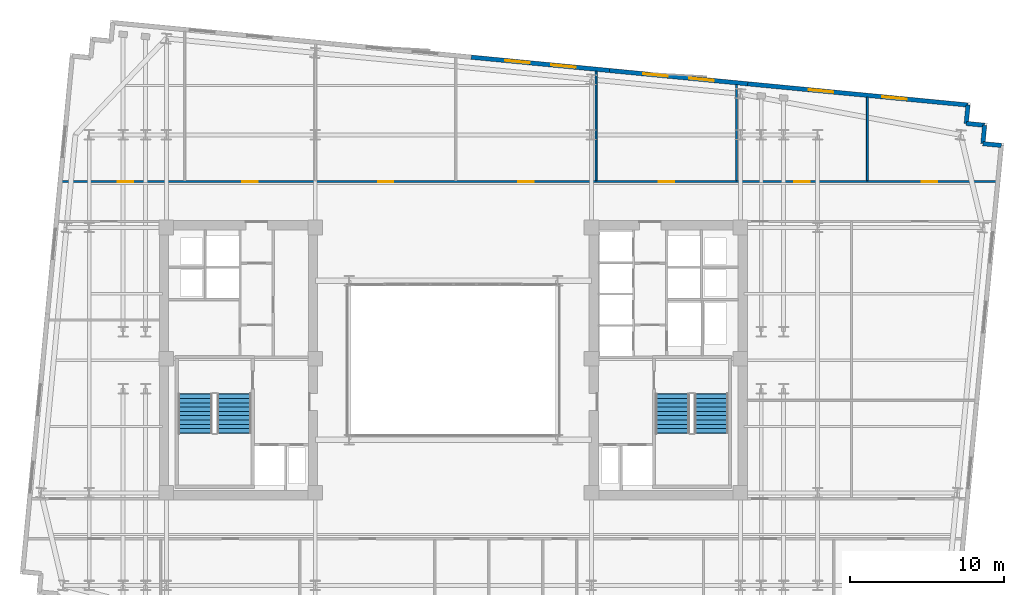
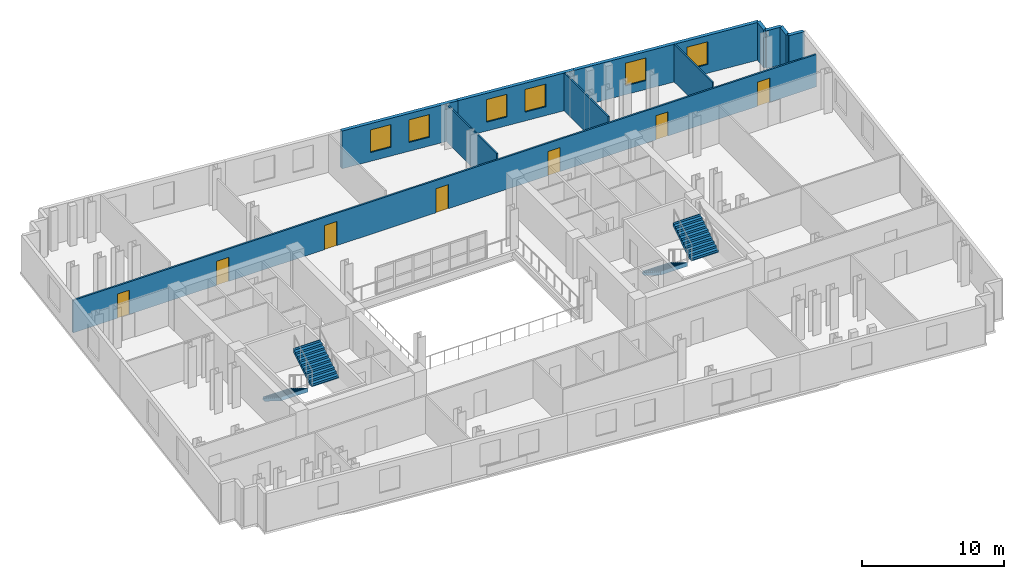
# One storey, part 8 of 10: 11 walls, 7 doors, 6 windows, 4 stair flights, 13 openings, 2 elements without a shape of their own.
"""IFC4 building model written with IfcOpenShell, lengths in metres."""

from ifc_helpers import new_model, si_unit, direction, frame, frame_2d, origin, place, context, subcontext, project, spatial, polyline, rectangle, outline, extrude, material, layer, layer_set, type_object, element, fill, aggregate, save


model = new_model("IFC4")

# Units and contexts
model_context = context("Model", 3, precision=1e-05, world=origin(), true_north=direction((0.0, 1.0)))
body_context = subcontext(model_context, "Body", "Model", "MODEL_VIEW")
ifc_project = project(units=[si_unit("LENGTHUNIT", "METRE"), si_unit("AREAUNIT", "SQUARE_METRE"), si_unit("VOLUMEUNIT", "CUBIC_METRE"), si_unit("PLANEANGLEUNIT", "RADIAN"), si_unit("MASSUNIT", "GRAM", prefix="KILO")], contexts=[model_context])

# Site, building, storey
site_placement = place(None, origin())
site = spatial("IfcSite", under=ifc_project, at=site_placement, CompositionType="ELEMENT")
building_placement = place(site_placement, origin())
building = spatial("IfcBuilding", under=site, at=building_placement, Name="Velakula Bourse", CompositionType="ELEMENT")
storey_placement = place(building_placement, frame((0.0, 0.0, 188.0)))
storey = spatial("IfcBuildingStorey", under=building, at=storey_placement, Name="L51", CompositionType="ELEMENT", Elevation=188.0)

# Wall, openings, windows
ifc_material_1 = material(Name="Red kilned clay facing brick masonry", Category="masonry")
ifc_layer_1 = layer(ifc_material_1, 0.280029296875, Name="Red kilned clay facing brick masonry", Category="masonry")
ifc_layer_set_1 = layer_set([ifc_layer_1], Name="Red kilned clay facing brick masonry")
wall_type_1 = type_object("IfcWallType", Name="WL-EXT-BRK-280", PredefinedType="STANDARD", material=ifc_layer_set_1)
wall_1_placement = place(storey_placement, frame((1.159912109375, 19.633056640625, 0.0), z_axis=(0.0, 0.0, 1.0), x_axis=(0.995394455533, -0.09586385082, 0.0)))
wall_1 = element("IfcWall", 1, at=wall_1_placement, inside=storey, type_object=wall_type_1, Name="L51 N Brick Spandrel Wall B3", PredefinedType="STANDARD", context=body_context, shape_type="SweptSolid", body=[
    extrude(rectangle(XDim=9.000244140625, YDim=0.280029296875, at=frame_2d((4.5, 0.0))), origin(), (0.0, 0.0, 1.0), 3.25),
])
opening_1_placement = place(wall_1_placement, frame((2.199951171875, 0.0, 0.760009765625)))
opening_1 = element("IfcOpeningElement", 2, at=opening_1_placement, cuts=wall_1, Name="Opening W-02", PredefinedType="OPENING", context=body_context, shape_type="SweptSolid", body=[
    extrude(rectangle(XDim=1.60009765625, YDim=1.949951171875, at=frame_2d((0.800048828125, 0.97509765625))), frame((0.0, 0.14990234375, 0.0), z_axis=(0.0, -1.0, 0.0), x_axis=(1.0, 0.0, 0.0)), (0.0, 0.0, 1.0), 0.300048828125),
])
opening_2_placement = place(wall_1_placement, frame((5.199951171875, 0.0, 0.760009765625)))
opening_2 = element("IfcOpeningElement", 3, at=opening_2_placement, cuts=wall_1, Name="Opening W-02", PredefinedType="OPENING", context=body_context, shape_type="SweptSolid", body=[
    extrude(rectangle(XDim=1.60009765625, YDim=1.949951171875, at=frame_2d((0.800048828125, 0.97509765625))), frame((0.0, 0.14990234375, 0.0), z_axis=(0.0, -1.0, 0.0), x_axis=(1.0, 0.0, 0.0)), (0.0, 0.0, 1.0), 0.300048828125),
])
ifc_material_2 = material(Name="Double-glazed solar-control Low-E glass", Category="glass")
window_type = type_object("IfcWindowType", Name="WIN-TWR-1600x2100", PartitioningType="SINGLE_PANEL", PredefinedType="WINDOW", material=ifc_material_2)
window_1_placement = place(opening_1_placement, origin())
window_1 = element("IfcWindow", 4, at=window_1_placement, inside=storey, type_object=window_type, Name="L51 Deep-Set Recessed Window 1", OverallHeight=1.949951171875, OverallWidth=1.60009765625, PartitioningType="SINGLE_PANEL", PredefinedType="WINDOW", context=body_context, shape_type="SweptSolid", body=[
    extrude(rectangle(XDim=1.60009765625, YDim=1.949951171875, at=frame_2d((0.800048828125, 0.97509765625))), frame((0.0, 0.030029296875, 0.0), z_axis=(0.0, -1.0, 0.0), x_axis=(1.0, 0.0, 0.0)), (0.0, 0.0, 1.0), 0.06005859375),
])
fill(opening_1, window_1)
window_2_placement = place(opening_2_placement, origin())
window_2 = element("IfcWindow", 5, at=window_2_placement, inside=storey, type_object=window_type, Name="L51 Deep-Set Recessed Window 2", OverallHeight=1.949951171875, OverallWidth=1.60009765625, PartitioningType="SINGLE_PANEL", PredefinedType="WINDOW", context=body_context, shape_type="SweptSolid", body=[
    extrude(rectangle(XDim=1.60009765625, YDim=1.949951171875, at=frame_2d((0.800048828125, 0.97509765625))), frame((0.0, 0.030029296875, 0.0), z_axis=(0.0, -1.0, 0.0), x_axis=(1.0, 0.0, 0.0)), (0.0, 0.0, 1.0), 0.06005859375),
])
fill(opening_2, window_2)

wall_2_placement = place(storey_placement, frame((10.11865234375, 18.770263671875, 0.0), z_axis=(0.0, 0.0, 1.0), x_axis=(0.995396794462, -0.09583956164, 0.0)))
wall_2 = element("IfcWall", 6, at=wall_2_placement, inside=storey, type_object=wall_type_1, Name="L51 N Brick Spandrel Wall B4", PredefinedType="STANDARD", context=body_context, shape_type="SweptSolid", body=[
    extrude(rectangle(XDim=9.0, YDim=0.280029296875, at=frame_2d((4.5, 0.0))), origin(), (0.0, 0.0, 1.0), 3.25),
])
opening_3_placement = place(wall_2_placement, frame((2.199951171875, 0.0, 0.760009765625)))
opening_3 = element("IfcOpeningElement", 7, at=opening_3_placement, cuts=wall_2, Name="Opening W-02", PredefinedType="OPENING", context=body_context, shape_type="SweptSolid", body=[
    extrude(rectangle(XDim=1.60009765625, YDim=1.949951171875, at=frame_2d((0.800048828125, 0.97509765625))), frame((0.0, 0.14990234375, 0.0), z_axis=(0.0, -1.0, 0.0), x_axis=(1.0, 0.0, 0.0)), (0.0, 0.0, 1.0), 0.300048828125),
])
opening_4_placement = place(wall_2_placement, frame((5.199951171875, 0.0, 0.760009765625)))
opening_4 = element("IfcOpeningElement", 8, at=opening_4_placement, cuts=wall_2, Name="Opening W-02", PredefinedType="OPENING", context=body_context, shape_type="SweptSolid", body=[
    extrude(rectangle(XDim=1.60009765625, YDim=1.949951171875, at=frame_2d((0.800048828125, 0.97509765625))), frame((0.0, 0.14990234375, 0.0), z_axis=(0.0, -1.0, 0.0), x_axis=(1.0, 0.0, 0.0)), (0.0, 0.0, 1.0), 0.300048828125),
])
window_3_placement = place(opening_3_placement, origin())
window_3 = element("IfcWindow", 9, at=window_3_placement, inside=storey, type_object=window_type, Name="L51 Deep-Set Recessed Window 1", OverallHeight=1.949951171875, OverallWidth=1.60009765625, PartitioningType="SINGLE_PANEL", PredefinedType="WINDOW", context=body_context, shape_type="SweptSolid", body=[
    extrude(rectangle(XDim=1.60009765625, YDim=1.949951171875, at=frame_2d((0.800048828125, 0.97509765625))), frame((0.0, 0.030029296875, 0.0), z_axis=(0.0, -1.0, 0.0), x_axis=(1.0, 0.0, 0.0)), (0.0, 0.0, 1.0), 0.06005859375),
])
fill(opening_3, window_3)
window_4_placement = place(opening_4_placement, origin())
window_4 = element("IfcWindow", 10, at=window_4_placement, inside=storey, type_object=window_type, Name="L51 Deep-Set Recessed Window 2", OverallHeight=1.949951171875, OverallWidth=1.60009765625, PartitioningType="SINGLE_PANEL", PredefinedType="WINDOW", context=body_context, shape_type="SweptSolid", body=[
    extrude(rectangle(XDim=1.60009765625, YDim=1.949951171875, at=frame_2d((0.800048828125, 0.97509765625))), frame((0.0, 0.030029296875, 0.0), z_axis=(0.0, -1.0, 0.0), x_axis=(1.0, 0.0, 0.0)), (0.0, 0.0, 1.0), 0.06005859375),
])
fill(opening_4, window_4)

wall_3_placement = place(storey_placement, frame((19.0771484375, 17.90771484375, 0.0), z_axis=(0.0, 0.0, 1.0), x_axis=(0.995395606285, -0.095851901334, 0.0)))
wall_3 = element("IfcWall", 11, at=wall_3_placement, inside=storey, type_object=wall_type_1, Name="L51 N Brick Spandrel Wall B5", PredefinedType="STANDARD", context=body_context, shape_type="SweptSolid", body=[
    extrude(rectangle(XDim=14.33984375, YDim=0.280029296875, at=frame_2d((7.169921875, 0.0))), origin(), (0.0, 0.0, 1.0), 3.25),
])
opening_5_placement = place(wall_3_placement, frame((3.97998046875, 0.0, 0.760009765625)))
opening_5 = element("IfcOpeningElement", 12, at=opening_5_placement, cuts=wall_3, Name="Opening W-02", PredefinedType="OPENING", context=body_context, shape_type="SweptSolid", body=[
    extrude(rectangle(XDim=1.60009765625, YDim=1.949951171875, at=frame_2d((0.800048828125, 0.97509765625))), frame((0.0, 0.14990234375, 0.0), z_axis=(0.0, -1.0, 0.0), x_axis=(1.0, 0.0, 0.0)), (0.0, 0.0, 1.0), 0.300048828125),
])
opening_6_placement = place(wall_3_placement, frame((8.760009765625, 0.0, 0.760009765625)))
opening_6 = element("IfcOpeningElement", 13, at=opening_6_placement, cuts=wall_3, Name="Opening W-02", PredefinedType="OPENING", context=body_context, shape_type="SweptSolid", body=[
    extrude(rectangle(XDim=1.60009765625, YDim=1.949951171875, at=frame_2d((0.800048828125, 0.97509765625))), frame((0.0, 0.14990234375, 0.0), z_axis=(0.0, -1.0, 0.0), x_axis=(1.0, 0.0, 0.0)), (0.0, 0.0, 1.0), 0.300048828125),
])
window_5_placement = place(opening_5_placement, origin())
window_5 = element("IfcWindow", 14, at=window_5_placement, inside=storey, type_object=window_type, Name="L51 Deep-Set Recessed Window 1", OverallHeight=1.949951171875, OverallWidth=1.60009765625, PartitioningType="SINGLE_PANEL", PredefinedType="WINDOW", context=body_context, shape_type="SweptSolid", body=[
    extrude(rectangle(XDim=1.60009765625, YDim=1.949951171875, at=frame_2d((0.800048828125, 0.97509765625))), frame((0.0, 0.030029296875, 0.0), z_axis=(0.0, -1.0, 0.0), x_axis=(1.0, 0.0, 0.0)), (0.0, 0.0, 1.0), 0.06005859375),
])
fill(opening_5, window_5)
window_6_placement = place(opening_6_placement, origin())
window_6 = element("IfcWindow", 15, at=window_6_placement, inside=storey, type_object=window_type, Name="L51 Deep-Set Recessed Window 2", OverallHeight=1.949951171875, OverallWidth=1.60009765625, PartitioningType="SINGLE_PANEL", PredefinedType="WINDOW", context=body_context, shape_type="SweptSolid", body=[
    extrude(rectangle(XDim=1.60009765625, YDim=1.949951171875, at=frame_2d((0.800048828125, 0.97509765625))), frame((0.0, 0.030029296875, 0.0), z_axis=(0.0, -1.0, 0.0), x_axis=(1.0, 0.0, 0.0)), (0.0, 0.0, 1.0), 0.06005859375),
])
fill(opening_6, window_6)

# Walls
wall_4_placement = place(storey_placement, frame((35.510009765625, 13.914306640625, 0.0), z_axis=(0.0, 0.0, 1.0), x_axis=(-0.995397091755, 0.095836473879, 0.0)))
element("IfcWall", 16, at=wall_4_placement, inside=storey, type_object=wall_type_1, Name="L51 Serrated Corner Brick Wall NE-1", PredefinedType="STANDARD", context=body_context, shape_type="SweptSolid", body=[
    extrude(rectangle(XDim=1.199951171875, YDim=0.280029296875, at=frame_2d((0.60009765625, 0.0))), origin(), (0.0, 0.0, 1.0), 3.25),
])
for number, where, z_axis, x_axis, name in (
    (17, (34.315673828125, 14.029296875, 0.0), (0.0, 0.0, 1.0), (0.095817067274, 0.995398960025, 0.0), "L51 Serrated Corner Brick Wall NE-2"),
    (18, (34.4306640625, 15.223876953125, 0.0), (0.0, 0.0, 1.0), (-0.995398960025, 0.095817067274, 0.0), "L51 Serrated Corner Brick Wall NE-3"),
):
    element("IfcWall", number, at=place(storey_placement, frame(where, z_axis=z_axis, x_axis=x_axis)), inside=storey, type_object=wall_type_1, Name=name, PredefinedType="STANDARD", context=body_context, shape_type="SweptSolid", body=[
        extrude(rectangle(XDim=1.2001953125, YDim=0.280029296875, at=frame_2d((0.60009765625, 0.0))), origin(), (0.0, 0.0, 1.0), 3.25),
    ])
wall_5_placement = place(storey_placement, frame((33.236083984375, 15.3388671875, 0.0), z_axis=(0.0, 0.0, 1.0), x_axis=(0.095836473879, 0.995397091755, 0.0)))
element("IfcWall", 19, at=wall_5_placement, inside=storey, type_object=wall_type_1, Name="L51 Serrated Corner Brick Wall NE-4", PredefinedType="STANDARD", context=body_context, shape_type="SweptSolid", body=[
    extrude(rectangle(XDim=1.199951171875, YDim=0.280029296875, at=frame_2d((0.60009765625, 0.0))), origin(), (0.0, 0.0, 1.0), 3.25),
])
ifc_material_3 = material(Name="Fire-rated double-layer gypsum drywall partition", Category="gypsum")
ifc_layer_2 = layer(ifc_material_3, 0.1201171875, Name="Fire-rated double-layer gypsum drywall partition", Category="gypsum")
ifc_layer_set_2 = layer_set([ifc_layer_2], Name="Fire-rated double-layer gypsum drywall partition")
wall_type_2 = type_object("IfcWallType", Name="WL-PART-120", PredefinedType="STANDARD", material=ifc_layer_set_2)
wall_6_placement = place(storey_placement, frame((9.2548828125, 11.639892578125, 0.0), z_axis=(0.0, 0.0, 1.0), x_axis=(0.0, 1.0, 0.0)))
element("IfcWall", 20, at=wall_6_placement, inside=storey, type_object=wall_type_2, Name="L51 Interior Partition WL-INT-L51-N-D4", PredefinedType="STANDARD", context=body_context, shape_type="SweptSolid", body=[
    extrude(rectangle(XDim=7.093017578125, YDim=0.1201171875, at=frame_2d((3.54638671875, 0.0))), origin(), (0.0, 0.0, 1.0), 3.25),
])
wall_7_placement = place(storey_placement, frame((18.344970703125, 11.639892578125, 0.0), z_axis=(0.0, 0.0, 1.0), x_axis=(0.0, 1.0, 0.0)))
element("IfcWall", 21, at=wall_7_placement, inside=storey, type_object=wall_type_2, Name="L51 Interior Partition WL-INT-L51-N-D5", PredefinedType="STANDARD", context=body_context, shape_type="SweptSolid", body=[
    extrude(rectangle(XDim=6.2177734375, YDim=0.1201171875, at=frame_2d((3.10888671875, 0.0))), origin(), (0.0, 0.0, 1.0), 3.25),
])
wall_8_placement = place(storey_placement, frame((26.8291015625, 11.639892578125, 0.0), z_axis=(0.0, 0.0, 1.0), x_axis=(0.0, 1.0, 0.0)))
element("IfcWall", 22, at=wall_8_placement, inside=storey, type_object=wall_type_2, Name="L51 Interior Partition WL-INT-L51-N-D6", PredefinedType="STANDARD", context=body_context, shape_type="SweptSolid", body=[
    extrude(rectangle(XDim=5.40087890625, YDim=0.1201171875, at=frame_2d((2.700439453125, 0.0))), origin(), (0.0, 0.0, 1.0), 3.25),
])

# Wall, openings, doors
ifc_layer_3 = layer(ifc_material_3, 0.139892578125, Name="Fire-rated double-layer gypsum drywall partition", Category="gypsum")
ifc_layer_set_3 = layer_set([ifc_layer_3], Name="Fire-rated double-layer gypsum drywall partition")
wall_type_3 = type_object("IfcWallType", Name="WL-PART-140", PredefinedType="STANDARD", material=ifc_layer_set_3)
wall_9_placement = place(storey_placement, frame((-25.35498046875, 11.570068359375, 0.0), z_axis=(0.0, 0.0, 1.0), x_axis=(1.0, 0.0, 0.0)))
wall_9 = element("IfcWall", 23, at=wall_9_placement, inside=storey, type_object=wall_type_3, Name="L51 Interior Partition WL-INT-L51-N-CORR", PredefinedType="STANDARD", context=body_context, shape_type="SweptSolid", body=[
    extrude(rectangle(XDim=60.518798828125, YDim=0.139892578125, at=frame_2d((30.25927734375, 0.0))), origin(), (0.0, 0.0, 1.0), 2.794921875),
])
opening_7_placement = place(wall_9_placement, frame((3.598388671875, 0.0, 0.0)))
opening_7 = element("IfcOpeningElement", 24, at=opening_7_placement, cuts=wall_9, Name="Opening D-OF1", PredefinedType="OPENING", context=body_context, shape_type="SweptSolid", body=[
    extrude(rectangle(XDim=1.0, YDim=2.080078125, at=frame_2d((0.5, 1.0400390625))), frame((0.0, 0.079833984375, 0.0), z_axis=(0.0, -1.0, 0.0), x_axis=(1.0, 0.0, 0.0)), (0.0, 0.0, 1.0), 0.159912109375),
])
opening_8_placement = place(wall_9_placement, frame((11.6875, 0.0, 0.0)))
opening_8 = element("IfcOpeningElement", 25, at=opening_8_placement, cuts=wall_9, Name="Opening D-OF1", PredefinedType="OPENING", context=body_context, shape_type="SweptSolid", body=[
    extrude(rectangle(XDim=1.0, YDim=2.080078125, at=frame_2d((0.5, 1.0400390625))), frame((0.0, 0.079833984375, 0.0), z_axis=(0.0, -1.0, 0.0), x_axis=(1.0, 0.0, 0.0)), (0.0, 0.0, 1.0), 0.159912109375),
])
opening_9_placement = place(wall_9_placement, frame((20.474853515625, 0.0, 0.0)))
opening_9 = element("IfcOpeningElement", 26, at=opening_9_placement, cuts=wall_9, Name="Opening D-OF1", PredefinedType="OPENING", context=body_context, shape_type="SweptSolid", body=[
    extrude(rectangle(XDim=1.0, YDim=2.080078125, at=frame_2d((0.5, 1.0400390625))), frame((0.0, 0.079833984375, 0.0), z_axis=(0.0, -1.0, 0.0), x_axis=(1.0, 0.0, 0.0)), (0.0, 0.0, 1.0), 0.159912109375),
])
opening_10_placement = place(wall_9_placement, frame((29.56494140625, 0.0, 0.0)))
opening_10 = element("IfcOpeningElement", 27, at=opening_10_placement, cuts=wall_9, Name="Opening D-OF1", PredefinedType="OPENING", context=body_context, shape_type="SweptSolid", body=[
    extrude(rectangle(XDim=1.0, YDim=2.080078125, at=frame_2d((0.5, 1.0400390625))), frame((0.0, 0.079833984375, 0.0), z_axis=(0.0, -1.0, 0.0), x_axis=(1.0, 0.0, 0.0)), (0.0, 0.0, 1.0), 0.159912109375),
])
opening_11_placement = place(wall_9_placement, frame((38.65478515625, 0.0, 0.0)))
opening_11 = element("IfcOpeningElement", 28, at=opening_11_placement, cuts=wall_9, Name="Opening D-OF1", PredefinedType="OPENING", context=body_context, shape_type="SweptSolid", body=[
    extrude(rectangle(XDim=1.0, YDim=2.080078125, at=frame_2d((0.5, 1.0400390625))), frame((0.0, 0.079833984375, 0.0), z_axis=(0.0, -1.0, 0.0), x_axis=(1.0, 0.0, 0.0)), (0.0, 0.0, 1.0), 0.159912109375),
])
opening_12_placement = place(wall_9_placement, frame((47.44189453125, 0.0, 0.0)))
opening_12 = element("IfcOpeningElement", 29, at=opening_12_placement, cuts=wall_9, Name="Opening D-OF1", PredefinedType="OPENING", context=body_context, shape_type="SweptSolid", body=[
    extrude(rectangle(XDim=1.0, YDim=2.080078125, at=frame_2d((0.5, 1.0400390625))), frame((0.0, 0.079833984375, 0.0), z_axis=(0.0, -1.0, 0.0), x_axis=(1.0, 0.0, 0.0)), (0.0, 0.0, 1.0), 0.159912109375),
])
opening_13_placement = place(wall_9_placement, frame((55.72509765625, 0.0, 0.0)))
opening_13 = element("IfcOpeningElement", 30, at=opening_13_placement, cuts=wall_9, Name="Opening D-OF1", PredefinedType="OPENING", context=body_context, shape_type="SweptSolid", body=[
    extrude(rectangle(XDim=1.0, YDim=2.080078125, at=frame_2d((0.5, 1.0400390625))), frame((0.0, 0.079833984375, 0.0), z_axis=(0.0, -1.0, 0.0), x_axis=(1.0, 0.0, 0.0)), (0.0, 0.0, 1.0), 0.159912109375),
])
ifc_material_4 = material(Name="Fire-rated hardwood flush architectural door", Category="wood")
door_type = type_object("IfcDoorType", Name="DR-OFF-1000", OperationType="NOTDEFINED", PredefinedType="DOOR", material=ifc_material_4)
door_1_placement = place(opening_7_placement, origin())
door_1 = element("IfcDoor", 31, at=door_1_placement, inside=storey, type_object=door_type, Name="L51 Derivatives Dealing Workspace Door", OperationType="SINGLE_SWING_LEFT", OverallHeight=2.080078125, OverallWidth=1.0, PredefinedType="DOOR", context=body_context, shape_type="SweptSolid", body=[
    extrude(rectangle(XDim=1.0, YDim=2.080078125, at=frame_2d((0.5, 1.0400390625))), frame((0.0, 0.02490234375, 0.0), z_axis=(0.0, -1.0, 0.0), x_axis=(1.0, 0.0, 0.0)), (0.0, 0.0, 1.0), 0.050048828125),
])
fill(opening_7, door_1)
door_2_placement = place(opening_8_placement, origin())
door_2 = element("IfcDoor", 32, at=door_2_placement, inside=storey, type_object=door_type, Name="L51 Listing Committee Chamber Door", OperationType="SINGLE_SWING_RIGHT", OverallHeight=2.080078125, OverallWidth=1.0, PredefinedType="DOOR", context=body_context, shape_type="SweptSolid", body=[
    extrude(rectangle(XDim=1.0, YDim=2.080078125, at=frame_2d((0.5, 1.0400390625))), frame((0.0, 0.02490234375, 0.0), z_axis=(0.0, -1.0, 0.0), x_axis=(1.0, 0.0, 0.0)), (0.0, 0.0, 1.0), 0.050048828125),
])
fill(opening_8, door_2)
door_3_placement = place(opening_9_placement, origin())
door_3 = element("IfcDoor", 33, at=door_3_placement, inside=storey, type_object=door_type, Name="L51 Traders Pantry Door", OperationType="SINGLE_SWING_LEFT", OverallHeight=2.080078125, OverallWidth=1.0, PredefinedType="DOOR", context=body_context, shape_type="SweptSolid", body=[
    extrude(rectangle(XDim=1.0, YDim=2.080078125, at=frame_2d((0.5, 1.0400390625))), frame((0.0, 0.02490234375, 0.0), z_axis=(0.0, -1.0, 0.0), x_axis=(1.0, 0.0, 0.0)), (0.0, 0.0, 1.0), 0.050048828125),
])
fill(opening_9, door_3)
door_4_placement = place(opening_10_placement, origin())
door_4 = element("IfcDoor", 34, at=door_4_placement, inside=storey, type_object=door_type, Name="L51 Traders Bistro Restaurant Door", OperationType="SINGLE_SWING_RIGHT", OverallHeight=2.080078125, OverallWidth=1.0, PredefinedType="DOOR", context=body_context, shape_type="SweptSolid", body=[
    extrude(rectangle(XDim=1.0, YDim=2.080078125, at=frame_2d((0.5, 1.0400390625))), frame((0.0, 0.02490234375, 0.0), z_axis=(0.0, -1.0, 0.0), x_axis=(1.0, 0.0, 0.0)), (0.0, 0.0, 1.0), 0.050048828125),
])
fill(opening_10, door_4)
door_5_placement = place(opening_11_placement, origin())
door_5 = element("IfcDoor", 35, at=door_5_placement, inside=storey, type_object=door_type, Name="L51 Broadcast Control Office Door", OperationType="SINGLE_SWING_LEFT", OverallHeight=2.080078125, OverallWidth=1.0, PredefinedType="DOOR", context=body_context, shape_type="SweptSolid", body=[
    extrude(rectangle(XDim=1.0, YDim=2.080078125, at=frame_2d((0.5, 1.0400390625))), frame((0.0, 0.02490234375, 0.0), z_axis=(0.0, -1.0, 0.0), x_axis=(1.0, 0.0, 0.0)), (0.0, 0.0, 1.0), 0.050048828125),
])
fill(opening_11, door_5)
door_6_placement = place(opening_12_placement, origin())
door_6 = element("IfcDoor", 36, at=door_6_placement, inside=storey, type_object=door_type, Name="L51 Derivatives Dealing Workspace Door", OperationType="SINGLE_SWING_RIGHT", OverallHeight=2.080078125, OverallWidth=1.0, PredefinedType="DOOR", context=body_context, shape_type="SweptSolid", body=[
    extrude(rectangle(XDim=1.0, YDim=2.080078125, at=frame_2d((0.5, 1.0400390625))), frame((0.0, 0.02490234375, 0.0), z_axis=(0.0, -1.0, 0.0), x_axis=(1.0, 0.0, 0.0)), (0.0, 0.0, 1.0), 0.050048828125),
])
fill(opening_12, door_6)
door_7_placement = place(opening_13_placement, origin())
door_7 = element("IfcDoor", 37, at=door_7_placement, inside=storey, type_object=door_type, Name="L51 Margin Control Office Door", OperationType="SINGLE_SWING_LEFT", OverallHeight=2.080078125, OverallWidth=1.0, PredefinedType="DOOR", context=body_context, shape_type="SweptSolid", body=[
    extrude(rectangle(XDim=1.0, YDim=2.080078125, at=frame_2d((0.5, 1.0400390625))), frame((0.0, 0.02490234375, 0.0), z_axis=(0.0, -1.0, 0.0), x_axis=(1.0, 0.0, 0.0)), (0.0, 0.0, 1.0), 0.050048828125),
])
fill(opening_13, door_7)

# Stair, stair flights
ifc_material_5 = material(Name="Concrete M45 (fck 45 MPa)", Category="concrete")
stair_type = type_object("IfcStairType", Name="STR-DOG-390", PredefinedType="HALF_TURN_STAIR", material=ifc_material_5)
stair_1_placement = place(storey_placement, origin())
stair_1 = element("IfcStair", 38, at=stair_1_placement, inside=storey, type_object=stair_type, Name="L51 West Core Exit Stair ST-W1", PredefinedType="HALF_TURN_STAIR")
ifc_layer_4 = layer(ifc_material_5, 0.195068359375, Name="Concrete M45 (fck 45 MPa)", Category="concrete")
ifc_layer_set_4 = layer_set([ifc_layer_4], Name="Concrete M45 (fck 45 MPa)")
stair_flight_type = type_object("IfcStairFlightType", Name="FLT-DOG-390", PredefinedType="STRAIGHT", material=ifc_layer_set_4)
stair_flight_1_placement = place(storey_placement, frame((-16.720947265625, -2.199951171875, 0.0), z_axis=(0.0, 0.0, 1.0), x_axis=(0.0, -1.0, 0.0)))
stair_flight_1 = element("IfcStairFlight", 39, at=stair_flight_1_placement, type_object=stair_flight_type, Name="ST-W1 flight 1", NumberOfRisers=10, NumberOfTreads=9, PredefinedType="STRAIGHT", RiserHeight=0.1725, TreadLength=0.28, context=body_context, shape_type="SweptSolid", body=[
    extrude(outline(polyline([(-0.044921875, -0.0400390625), (-0.044921875, -0.036865234375), (-0.044921875, -0.033935546875), (-0.044921875, -0.03076171875), (-0.044921875, -0.027587890625), (-0.044921875, -0.024658203125), (-0.044921875, -0.021484375), (-0.044921875, -0.0185546875), (-0.044921875, -0.015380859375), (-0.044921875, -0.01220703125), (-0.044921875, -0.00927734375), (-0.044921875, -0.006103515625), (-0.044921875, -0.003173828125), (-0.044921875, 0.0), (0.0, 0.0), (0.0, 0.172607421875), (0.280029296875, 0.172607421875), (0.280029296875, 0.344970703125), (0.56005859375, 0.344970703125), (0.56005859375, 0.517578125), (0.840087890625, 0.517578125), (0.840087890625, 0.68994140625), (1.1201171875, 0.68994140625), (1.1201171875, 0.862548828125), (1.39990234375, 0.862548828125), (1.39990234375, 1.034912109375), (1.679931640625, 1.034912109375), (1.679931640625, 1.20751953125), (1.9599609375, 1.20751953125), (1.9599609375, 1.3798828125), (2.239990234375, 1.3798828125), (2.239990234375, 1.552490234375), (2.52001953125, 1.552490234375), (2.52001953125, 1.72509765625), (2.56494140625, 1.72509765625), (2.56494140625, 1.7001953125), (2.56494140625, 1.67529296875), (2.56494140625, 1.650390625), (2.56494140625, 1.62548828125), (2.56494140625, 1.6005859375), (2.56494140625, 1.57568359375), (2.56494140625, 1.55078125), (2.56494140625, 1.52587890625), (2.56494140625, 1.5009765625), (2.56494140625, 1.47607421875), (2.56494140625, 1.451171875), (2.56494140625, 1.42626953125), (2.56494140625, 1.4013671875), (2.56494140625, 1.37646484375), (0.285888671875, -0.0400390625), (-0.044921875, -0.0400390625)])), frame((0.0, 1.09912109375, 0.0), z_axis=(0.0, -1.0, 0.0), x_axis=(1.0, 0.0, 0.0)), (0.0, 0.0, 1.0), 2.197998046875),
])
stair_flight_2_placement = place(storey_placement, frame((-14.198974609375, -4.719970703125, 1.72509765625), z_axis=(0.0, 0.0, 1.0), x_axis=(0.0, 1.0, 0.0)))
stair_flight_2 = element("IfcStairFlight", 40, at=stair_flight_2_placement, type_object=stair_flight_type, Name="ST-W1 flight 2", NumberOfRisers=10, NumberOfTreads=9, PredefinedType="STRAIGHT", RiserHeight=0.1725, TreadLength=0.28, context=body_context, shape_type="SweptSolid", body=[
    extrude(outline(polyline([(-0.044921875, -0.0400390625), (-0.044921875, -0.036865234375), (-0.044921875, -0.033935546875), (-0.044921875, -0.03076171875), (-0.044921875, -0.027587890625), (-0.044921875, -0.024658203125), (-0.044921875, -0.021484375), (-0.044921875, -0.0185546875), (-0.044921875, -0.015380859375), (-0.044921875, -0.01220703125), (-0.044921875, -0.00927734375), (-0.044921875, -0.006103515625), (-0.044921875, -0.003173828125), (-0.044921875, 0.0), (0.0, 0.0), (0.0, 0.172607421875), (0.280029296875, 0.172607421875), (0.280029296875, 0.344970703125), (0.56005859375, 0.344970703125), (0.56005859375, 0.517578125), (0.840087890625, 0.517578125), (0.840087890625, 0.68994140625), (1.1201171875, 0.68994140625), (1.1201171875, 0.862548828125), (1.39990234375, 0.862548828125), (1.39990234375, 1.034912109375), (1.679931640625, 1.034912109375), (1.679931640625, 1.20751953125), (1.9599609375, 1.20751953125), (1.9599609375, 1.3798828125), (2.239990234375, 1.3798828125), (2.239990234375, 1.552490234375), (2.52001953125, 1.552490234375), (2.52001953125, 1.72509765625), (2.56494140625, 1.72509765625), (2.56494140625, 1.7001953125), (2.56494140625, 1.67529296875), (2.56494140625, 1.650390625), (2.56494140625, 1.62548828125), (2.56494140625, 1.6005859375), (2.56494140625, 1.57568359375), (2.56494140625, 1.55078125), (2.56494140625, 1.52587890625), (2.56494140625, 1.5009765625), (2.56494140625, 1.47607421875), (2.56494140625, 1.451171875), (2.56494140625, 1.42626953125), (2.56494140625, 1.4013671875), (2.56494140625, 1.37646484375), (0.285888671875, -0.0400390625), (-0.044921875, -0.0400390625)])), frame((0.0, 1.09912109375, 0.0), z_axis=(0.0, -1.0, 0.0), x_axis=(1.0, 0.0, 0.0)), (0.0, 0.0, 1.0), 2.197998046875),
])
aggregate(stair_1, [stair_flight_1, stair_flight_2])

stair_2_placement = place(storey_placement, origin())
stair_2 = element("IfcStair", 41, at=stair_2_placement, inside=storey, type_object=stair_type, Name="L51 East Core Exit Stair ST-E1", PredefinedType="HALF_TURN_STAIR")
stair_flight_3_placement = place(storey_placement, frame((14.198974609375, -2.199951171875, 0.0), z_axis=(0.0, 0.0, 1.0), x_axis=(0.0, -1.0, 0.0)))
stair_flight_3 = element("IfcStairFlight", 42, at=stair_flight_3_placement, type_object=stair_flight_type, Name="ST-E1 flight 1", NumberOfRisers=10, NumberOfTreads=9, PredefinedType="STRAIGHT", RiserHeight=0.1725, TreadLength=0.28, context=body_context, shape_type="SweptSolid", body=[
    extrude(outline(polyline([(-0.044921875, -0.0400390625), (-0.044921875, -0.036865234375), (-0.044921875, -0.033935546875), (-0.044921875, -0.03076171875), (-0.044921875, -0.027587890625), (-0.044921875, -0.024658203125), (-0.044921875, -0.021484375), (-0.044921875, -0.0185546875), (-0.044921875, -0.015380859375), (-0.044921875, -0.01220703125), (-0.044921875, -0.00927734375), (-0.044921875, -0.006103515625), (-0.044921875, -0.003173828125), (-0.044921875, 0.0), (0.0, 0.0), (0.0, 0.172607421875), (0.280029296875, 0.172607421875), (0.280029296875, 0.344970703125), (0.56005859375, 0.344970703125), (0.56005859375, 0.517578125), (0.840087890625, 0.517578125), (0.840087890625, 0.68994140625), (1.1201171875, 0.68994140625), (1.1201171875, 0.862548828125), (1.39990234375, 0.862548828125), (1.39990234375, 1.034912109375), (1.679931640625, 1.034912109375), (1.679931640625, 1.20751953125), (1.9599609375, 1.20751953125), (1.9599609375, 1.3798828125), (2.239990234375, 1.3798828125), (2.239990234375, 1.552490234375), (2.52001953125, 1.552490234375), (2.52001953125, 1.72509765625), (2.56494140625, 1.72509765625), (2.56494140625, 1.7001953125), (2.56494140625, 1.67529296875), (2.56494140625, 1.650390625), (2.56494140625, 1.62548828125), (2.56494140625, 1.6005859375), (2.56494140625, 1.57568359375), (2.56494140625, 1.55078125), (2.56494140625, 1.52587890625), (2.56494140625, 1.5009765625), (2.56494140625, 1.47607421875), (2.56494140625, 1.451171875), (2.56494140625, 1.42626953125), (2.56494140625, 1.4013671875), (2.56494140625, 1.37646484375), (0.285888671875, -0.0400390625), (-0.044921875, -0.0400390625)])), frame((0.0, 1.09912109375, 0.0), z_axis=(0.0, -1.0, 0.0), x_axis=(1.0, 0.0, 0.0)), (0.0, 0.0, 1.0), 2.197998046875),
])
stair_flight_4_placement = place(storey_placement, frame((16.720947265625, -4.719970703125, 1.72509765625), z_axis=(0.0, 0.0, 1.0), x_axis=(0.0, 1.0, 0.0)))
stair_flight_4 = element("IfcStairFlight", 43, at=stair_flight_4_placement, type_object=stair_flight_type, Name="ST-E1 flight 2", NumberOfRisers=10, NumberOfTreads=9, PredefinedType="STRAIGHT", RiserHeight=0.1725, TreadLength=0.28, context=body_context, shape_type="SweptSolid", body=[
    extrude(outline(polyline([(-0.044921875, -0.0400390625), (-0.044921875, -0.036865234375), (-0.044921875, -0.033935546875), (-0.044921875, -0.03076171875), (-0.044921875, -0.027587890625), (-0.044921875, -0.024658203125), (-0.044921875, -0.021484375), (-0.044921875, -0.0185546875), (-0.044921875, -0.015380859375), (-0.044921875, -0.01220703125), (-0.044921875, -0.00927734375), (-0.044921875, -0.006103515625), (-0.044921875, -0.003173828125), (-0.044921875, 0.0), (0.0, 0.0), (0.0, 0.172607421875), (0.280029296875, 0.172607421875), (0.280029296875, 0.344970703125), (0.56005859375, 0.344970703125), (0.56005859375, 0.517578125), (0.840087890625, 0.517578125), (0.840087890625, 0.68994140625), (1.1201171875, 0.68994140625), (1.1201171875, 0.862548828125), (1.39990234375, 0.862548828125), (1.39990234375, 1.034912109375), (1.679931640625, 1.034912109375), (1.679931640625, 1.20751953125), (1.9599609375, 1.20751953125), (1.9599609375, 1.3798828125), (2.239990234375, 1.3798828125), (2.239990234375, 1.552490234375), (2.52001953125, 1.552490234375), (2.52001953125, 1.72509765625), (2.56494140625, 1.72509765625), (2.56494140625, 1.7001953125), (2.56494140625, 1.67529296875), (2.56494140625, 1.650390625), (2.56494140625, 1.62548828125), (2.56494140625, 1.6005859375), (2.56494140625, 1.57568359375), (2.56494140625, 1.55078125), (2.56494140625, 1.52587890625), (2.56494140625, 1.5009765625), (2.56494140625, 1.47607421875), (2.56494140625, 1.451171875), (2.56494140625, 1.42626953125), (2.56494140625, 1.4013671875), (2.56494140625, 1.37646484375), (0.285888671875, -0.0400390625), (-0.044921875, -0.0400390625)])), frame((0.0, 1.09912109375, 0.0), z_axis=(0.0, -1.0, 0.0), x_axis=(1.0, 0.0, 0.0)), (0.0, 0.0, 1.0), 2.197998046875),
])
aggregate(stair_2, [stair_flight_3, stair_flight_4])

save(model, "model.ifc")
